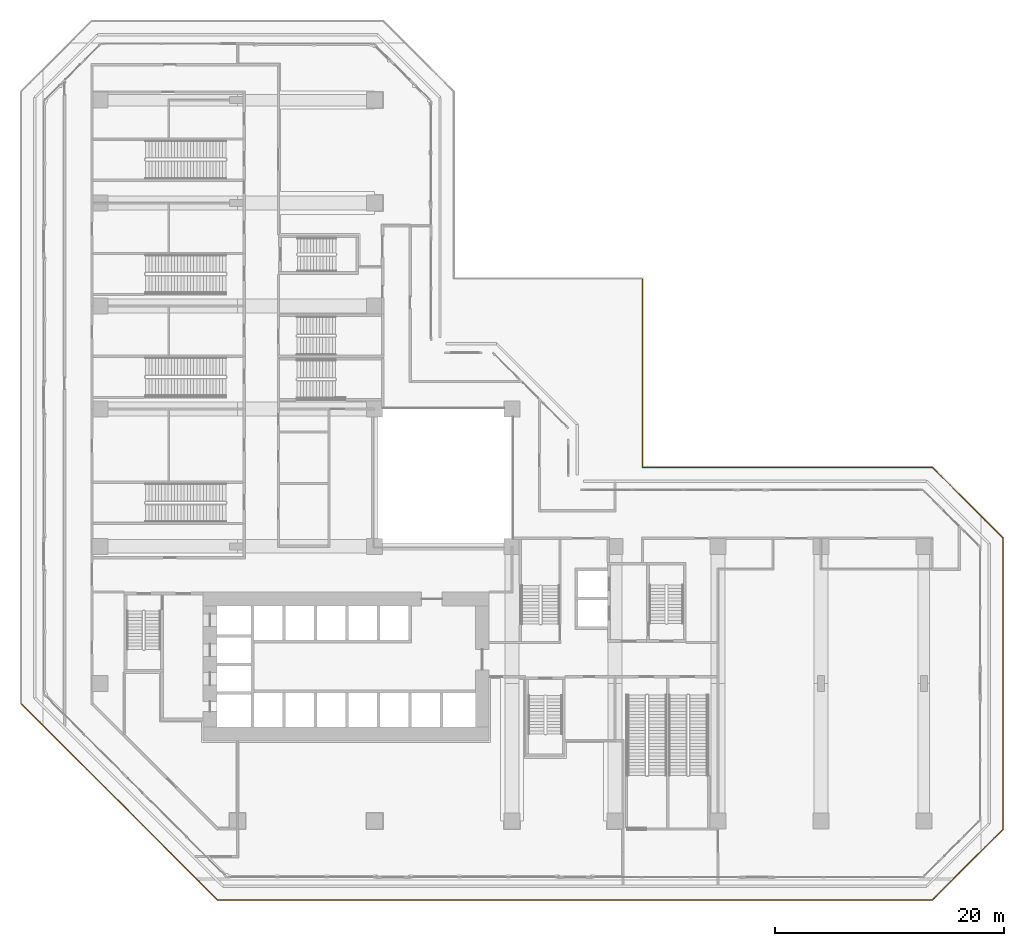
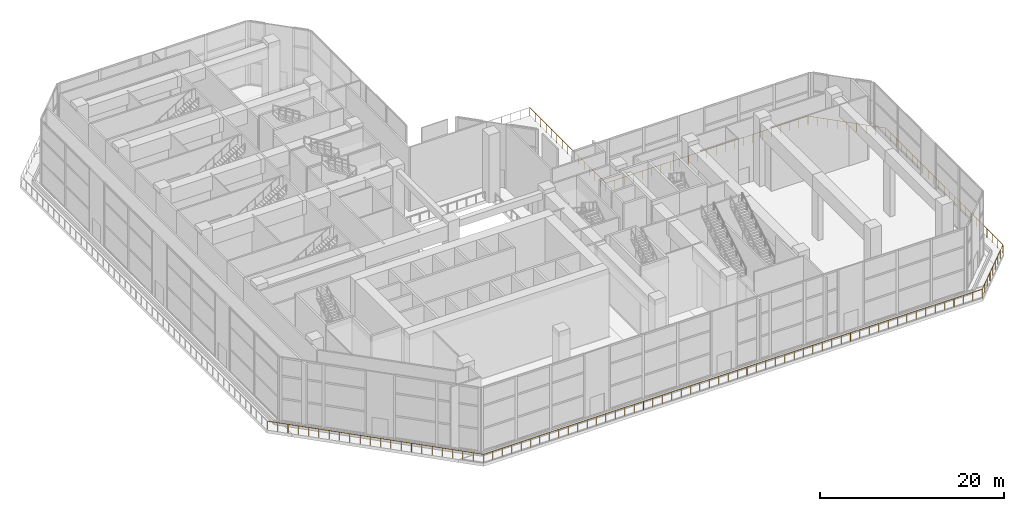
# One storey, part 23 of 28: 1 railing.
"""IFC4 building model written with IfcOpenShell, lengths in metres."""

from ifc_helpers import new_model, si_unit, direction, frame, origin, origin_2d, place, context, subcontext, project, spatial, rectangle, extrude, material, type_object, element, save


model = new_model("IFC4")

# Units and contexts
model_context = context("Model", 3, precision=1e-05, world=origin(), true_north=direction((0.0, 1.0)))
body_context = subcontext(model_context, "Body", "Model", "MODEL_VIEW")
ifc_project = project(units=[si_unit("LENGTHUNIT", "METRE"), si_unit("AREAUNIT", "SQUARE_METRE"), si_unit("VOLUMEUNIT", "CUBIC_METRE"), si_unit("PLANEANGLEUNIT", "RADIAN"), si_unit("MASSUNIT", "GRAM", prefix="KILO")], contexts=[model_context])

# Site, building, storey
site_placement = place(None, origin())
site = spatial("IfcSite", under=ifc_project, at=site_placement, CompositionType="ELEMENT")
building_placement = place(site_placement, origin())
building = spatial("IfcBuilding", under=site, at=building_placement, Name="Chenar Terraces", CompositionType="ELEMENT")
storey_placement = place(building_placement, frame((0.0, 0.0, 26.39990234375)))
storey = spatial("IfcBuildingStorey", under=building, at=storey_placement, Name="L05", CompositionType="ELEMENT", Elevation=26.39990234375)

# Railing
ifc_material = material(Name="Stainless steel and glass", Category="steel")
railing_type = type_object("IfcRailingType", Name="Terrace guard 1150", PredefinedType="GUARDRAIL", material=ifc_material)
railing_placement = place(storey_placement, frame((47.39990234375, 47.39990234375, 0.0)))
element("IfcRailing", 1, at=railing_placement, inside=storey, type_object=railing_type, Name="Terrace guard", PredefinedType="GUARDRAIL", context=body_context, shape_type="SweptSolid", body=[
    extrude(rectangle(XDim=0.048095703125, YDim=0.048095703125, at=origin_2d()), frame((0.0, 0.0, 1.1259765625), z_axis=(0.0, -1.0, 0.0), x_axis=(1.0, 0.0, 0.0)), (0.0, 0.0, 1.0), 16.5),
    extrude(rectangle(XDim=0.048095703125, YDim=0.048095703125, at=origin_2d()), frame((0.0, -16.5, 1.1259765625), z_axis=(1.0, 0.0, 0.0), x_axis=(0.0, 1.0, 0.0)), (0.0, 0.0, 1.0), 25.3369140625),
    extrude(rectangle(XDim=0.048095703125, YDim=0.048095703125, at=origin_2d()), frame((25.3369140625, -16.5, 1.1259765625), z_axis=(0.707106781187, -0.707106781187, 0.0), x_axis=(0.707106781187, 0.707106781187, 0.0)), (0.0, 0.0, 1.0), 8.7158203125),
    extrude(rectangle(XDim=0.048095703125, YDim=0.048095703125, at=origin_2d()), frame((31.5, -22.6630859375, 1.1259765625), z_axis=(0.0, -1.0, 0.0), x_axis=(1.0, 0.0, 0.0)), (0.0, 0.0, 1.0), 25.4736328125),
    extrude(rectangle(XDim=0.048095703125, YDim=0.048095703125, at=origin_2d()), frame((31.5, -48.13671875, 1.1259765625), z_axis=(-0.707106781187, -0.707106781187, 0.0), x_axis=(0.707106781187, -0.707106781187, 0.0)), (0.0, 0.0, 1.0), 8.7158203125),
    extrude(rectangle(XDim=0.048095703125, YDim=0.048095703125, at=origin_2d()), frame((25.3369140625, -54.2998046875, 1.1259765625), z_axis=(-1.0, 0.0, 0.0), x_axis=(0.0, -1.0, 0.0)), (0.0, 0.0, 1.0), 62.4736328125),
    extrude(rectangle(XDim=0.048095703125, YDim=0.048095703125, at=origin_2d()), frame((-37.13671875, -54.2998046875, 1.1259765625), z_axis=(-0.707106781187, 0.707106781187, 0.0), x_axis=(-0.707106781187, -0.707106781187, 0.0)), (0.0, 0.0, 1.0), 24.272216796875),
    extrude(rectangle(XDim=0.0419921875, YDim=0.0419921875, at=origin_2d()), origin(), (0.0, 0.0, 1.0), 1.101806640625),
    extrude(rectangle(XDim=0.0419921875, YDim=0.0419921875, at=origin_2d()), frame((0.0, -1.178466796875, 0.0)), (0.0, 0.0, 1.0), 1.101806640625),
    extrude(rectangle(XDim=0.0419921875, YDim=0.0419921875, at=origin_2d()), frame((0.0, -2.357177734375, 0.0)), (0.0, 0.0, 1.0), 1.101806640625),
    extrude(rectangle(XDim=0.0419921875, YDim=0.0419921875, at=origin_2d()), frame((0.0, -3.53564453125, 0.0)), (0.0, 0.0, 1.0), 1.101806640625),
    extrude(rectangle(XDim=0.0419921875, YDim=0.0419921875, at=origin_2d()), frame((0.0, -4.71435546875, 0.0)), (0.0, 0.0, 1.0), 1.101806640625),
    extrude(rectangle(XDim=0.0419921875, YDim=0.0419921875, at=origin_2d()), frame((0.0, -5.892822265625, 0.0)), (0.0, 0.0, 1.0), 1.101806640625),
    extrude(rectangle(XDim=0.0419921875, YDim=0.0419921875, at=origin_2d()), frame((0.0, -7.071533203125, 0.0)), (0.0, 0.0, 1.0), 1.101806640625),
    extrude(rectangle(XDim=0.0419921875, YDim=0.0419921875, at=origin_2d()), frame((0.0, -8.25, 0.0)), (0.0, 0.0, 1.0), 1.101806640625),
    extrude(rectangle(XDim=0.0419921875, YDim=0.0419921875, at=origin_2d()), frame((0.0, -9.428466796875, 0.0)), (0.0, 0.0, 1.0), 1.101806640625),
    extrude(rectangle(XDim=0.0419921875, YDim=0.0419921875, at=origin_2d()), frame((0.0, -10.607177734375, 0.0)), (0.0, 0.0, 1.0), 1.101806640625),
    extrude(rectangle(XDim=0.0419921875, YDim=0.0419921875, at=origin_2d()), frame((0.0, -11.78564453125, 0.0)), (0.0, 0.0, 1.0), 1.101806640625),
    extrude(rectangle(XDim=0.0419921875, YDim=0.0419921875, at=origin_2d()), frame((0.0, -12.96435546875, 0.0)), (0.0, 0.0, 1.0), 1.101806640625),
    extrude(rectangle(XDim=0.0419921875, YDim=0.0419921875, at=origin_2d()), frame((0.0, -14.142822265625, 0.0)), (0.0, 0.0, 1.0), 1.101806640625),
    extrude(rectangle(XDim=0.0419921875, YDim=0.0419921875, at=origin_2d()), frame((0.0, -15.321533203125, 0.0)), (0.0, 0.0, 1.0), 1.101806640625),
    extrude(rectangle(XDim=0.0419921875, YDim=0.0419921875, at=origin_2d()), frame((0.0, -16.5, 0.0)), (0.0, 0.0, 1.0), 1.101806640625),
    extrude(rectangle(XDim=0.0419921875, YDim=0.0419921875, at=origin_2d()), frame((1.151611328125, -16.5, 0.0)), (0.0, 0.0, 1.0), 1.101806640625),
    extrude(rectangle(XDim=0.0419921875, YDim=0.0419921875, at=origin_2d()), frame((2.303466796875, -16.5, 0.0)), (0.0, 0.0, 1.0), 1.101806640625),
    extrude(rectangle(XDim=0.0419921875, YDim=0.0419921875, at=origin_2d()), frame((3.455078125, -16.5, 0.0)), (0.0, 0.0, 1.0), 1.101806640625),
    extrude(rectangle(XDim=0.0419921875, YDim=0.0419921875, at=origin_2d()), frame((4.606689453125, -16.5, 0.0)), (0.0, 0.0, 1.0), 1.101806640625),
    extrude(rectangle(XDim=0.0419921875, YDim=0.0419921875, at=origin_2d()), frame((5.75830078125, -16.5, 0.0)), (0.0, 0.0, 1.0), 1.101806640625),
    extrude(rectangle(XDim=0.0419921875, YDim=0.0419921875, at=origin_2d()), frame((6.91015625, -16.5, 0.0)), (0.0, 0.0, 1.0), 1.101806640625),
    extrude(rectangle(XDim=0.0419921875, YDim=0.0419921875, at=origin_2d()), frame((8.061767578125, -16.5, 0.0)), (0.0, 0.0, 1.0), 1.101806640625),
    extrude(rectangle(XDim=0.0419921875, YDim=0.0419921875, at=origin_2d()), frame((9.21337890625, -16.5, 0.0)), (0.0, 0.0, 1.0), 1.101806640625),
    extrude(rectangle(XDim=0.0419921875, YDim=0.0419921875, at=origin_2d()), frame((10.364990234375, -16.5, 0.0)), (0.0, 0.0, 1.0), 1.101806640625),
    extrude(rectangle(XDim=0.0419921875, YDim=0.0419921875, at=origin_2d()), frame((11.516845703125, -16.5, 0.0)), (0.0, 0.0, 1.0), 1.101806640625),
    extrude(rectangle(XDim=0.0419921875, YDim=0.0419921875, at=origin_2d()), frame((12.66845703125, -16.5, 0.0)), (0.0, 0.0, 1.0), 1.101806640625),
    extrude(rectangle(XDim=0.0419921875, YDim=0.0419921875, at=origin_2d()), frame((13.820068359375, -16.5, 0.0)), (0.0, 0.0, 1.0), 1.101806640625),
    extrude(rectangle(XDim=0.0419921875, YDim=0.0419921875, at=origin_2d()), frame((14.971923828125, -16.5, 0.0)), (0.0, 0.0, 1.0), 1.101806640625),
    extrude(rectangle(XDim=0.0419921875, YDim=0.0419921875, at=origin_2d()), frame((16.12353515625, -16.5, 0.0)), (0.0, 0.0, 1.0), 1.101806640625),
    extrude(rectangle(XDim=0.0419921875, YDim=0.0419921875, at=origin_2d()), frame((17.275146484375, -16.5, 0.0)), (0.0, 0.0, 1.0), 1.101806640625),
    extrude(rectangle(XDim=0.0419921875, YDim=0.0419921875, at=origin_2d()), frame((18.4267578125, -16.5, 0.0)), (0.0, 0.0, 1.0), 1.101806640625),
    extrude(rectangle(XDim=0.0419921875, YDim=0.0419921875, at=origin_2d()), frame((19.57861328125, -16.5, 0.0)), (0.0, 0.0, 1.0), 1.101806640625),
    extrude(rectangle(XDim=0.0419921875, YDim=0.0419921875, at=origin_2d()), frame((20.730224609375, -16.5, 0.0)), (0.0, 0.0, 1.0), 1.101806640625),
    extrude(rectangle(XDim=0.0419921875, YDim=0.0419921875, at=origin_2d()), frame((21.8818359375, -16.5, 0.0)), (0.0, 0.0, 1.0), 1.101806640625),
    extrude(rectangle(XDim=0.0419921875, YDim=0.0419921875, at=origin_2d()), frame((23.033447265625, -16.5, 0.0)), (0.0, 0.0, 1.0), 1.101806640625),
    extrude(rectangle(XDim=0.0419921875, YDim=0.0419921875, at=origin_2d()), frame((24.185302734375, -16.5, 0.0)), (0.0, 0.0, 1.0), 1.101806640625),
    extrude(rectangle(XDim=0.0419921875, YDim=0.0419921875, at=origin_2d()), frame((25.3369140625, -16.5, 0.0)), (0.0, 0.0, 1.0), 1.101806640625),
    extrude(rectangle(XDim=0.0419921875, YDim=0.0419921875, at=origin_2d()), frame((26.107421875, -17.2705078125, 0.0)), (0.0, 0.0, 1.0), 1.101806640625),
    extrude(rectangle(XDim=0.0419921875, YDim=0.0419921875, at=origin_2d()), frame((26.877685546875, -18.040771484375, 0.0)), (0.0, 0.0, 1.0), 1.101806640625),
    extrude(rectangle(XDim=0.0419921875, YDim=0.0419921875, at=origin_2d()), frame((27.64794921875, -18.81103515625, 0.0)), (0.0, 0.0, 1.0), 1.101806640625),
    extrude(rectangle(XDim=0.0419921875, YDim=0.0419921875, at=origin_2d()), frame((28.41845703125, -19.58154296875, 0.0)), (0.0, 0.0, 1.0), 1.101806640625),
    extrude(rectangle(XDim=0.0419921875, YDim=0.0419921875, at=origin_2d()), frame((29.18896484375, -20.35205078125, 0.0)), (0.0, 0.0, 1.0), 1.101806640625),
    extrude(rectangle(XDim=0.0419921875, YDim=0.0419921875, at=origin_2d()), frame((29.959228515625, -21.122314453125, 0.0)), (0.0, 0.0, 1.0), 1.101806640625),
    extrude(rectangle(XDim=0.0419921875, YDim=0.0419921875, at=origin_2d()), frame((30.7294921875, -21.892578125, 0.0)), (0.0, 0.0, 1.0), 1.101806640625),
    extrude(rectangle(XDim=0.0419921875, YDim=0.0419921875, at=origin_2d()), frame((31.5, -22.6630859375, 0.0)), (0.0, 0.0, 1.0), 1.101806640625),
    extrude(rectangle(XDim=0.0419921875, YDim=0.0419921875, at=origin_2d()), frame((31.5, -23.821044921875, 0.0)), (0.0, 0.0, 1.0), 1.101806640625),
    extrude(rectangle(XDim=0.0419921875, YDim=0.0419921875, at=origin_2d()), frame((31.5, -24.978759765625, 0.0)), (0.0, 0.0, 1.0), 1.101806640625),
    extrude(rectangle(XDim=0.0419921875, YDim=0.0419921875, at=origin_2d()), frame((31.5, -26.13671875, 0.0)), (0.0, 0.0, 1.0), 1.101806640625),
    extrude(rectangle(XDim=0.0419921875, YDim=0.0419921875, at=origin_2d()), frame((31.5, -27.294677734375, 0.0)), (0.0, 0.0, 1.0), 1.101806640625),
    extrude(rectangle(XDim=0.0419921875, YDim=0.0419921875, at=origin_2d()), frame((31.5, -28.45263671875, 0.0)), (0.0, 0.0, 1.0), 1.101806640625),
    extrude(rectangle(XDim=0.0419921875, YDim=0.0419921875, at=origin_2d()), frame((31.5, -29.6103515625, 0.0)), (0.0, 0.0, 1.0), 1.101806640625),
    extrude(rectangle(XDim=0.0419921875, YDim=0.0419921875, at=origin_2d()), frame((31.5, -30.768310546875, 0.0)), (0.0, 0.0, 1.0), 1.101806640625),
    extrude(rectangle(XDim=0.0419921875, YDim=0.0419921875, at=origin_2d()), frame((31.5, -31.92626953125, 0.0)), (0.0, 0.0, 1.0), 1.101806640625),
    extrude(rectangle(XDim=0.0419921875, YDim=0.0419921875, at=origin_2d()), frame((31.5, -33.084228515625, 0.0)), (0.0, 0.0, 1.0), 1.101806640625),
    extrude(rectangle(XDim=0.0419921875, YDim=0.0419921875, at=origin_2d()), frame((31.5, -34.241943359375, 0.0)), (0.0, 0.0, 1.0), 1.101806640625),
    extrude(rectangle(XDim=0.0419921875, YDim=0.0419921875, at=origin_2d()), frame((31.5, -35.39990234375, 0.0)), (0.0, 0.0, 1.0), 1.101806640625),
    extrude(rectangle(XDim=0.0419921875, YDim=0.0419921875, at=origin_2d()), frame((31.5, -36.557861328125, 0.0)), (0.0, 0.0, 1.0), 1.101806640625),
    extrude(rectangle(XDim=0.0419921875, YDim=0.0419921875, at=origin_2d()), frame((31.5, -37.715576171875, 0.0)), (0.0, 0.0, 1.0), 1.101806640625),
    extrude(rectangle(XDim=0.0419921875, YDim=0.0419921875, at=origin_2d()), frame((31.5, -38.87353515625, 0.0)), (0.0, 0.0, 1.0), 1.101806640625),
    extrude(rectangle(XDim=0.0419921875, YDim=0.0419921875, at=origin_2d()), frame((31.5, -40.031494140625, 0.0)), (0.0, 0.0, 1.0), 1.101806640625),
    extrude(rectangle(XDim=0.0419921875, YDim=0.0419921875, at=origin_2d()), frame((31.5, -41.189453125, 0.0)), (0.0, 0.0, 1.0), 1.101806640625),
    extrude(rectangle(XDim=0.0419921875, YDim=0.0419921875, at=origin_2d()), frame((31.5, -42.34716796875, 0.0)), (0.0, 0.0, 1.0), 1.101806640625),
    extrude(rectangle(XDim=0.0419921875, YDim=0.0419921875, at=origin_2d()), frame((31.5, -43.505126953125, 0.0)), (0.0, 0.0, 1.0), 1.101806640625),
    extrude(rectangle(XDim=0.0419921875, YDim=0.0419921875, at=origin_2d()), frame((31.5, -44.6630859375, 0.0)), (0.0, 0.0, 1.0), 1.101806640625),
    extrude(rectangle(XDim=0.0419921875, YDim=0.0419921875, at=origin_2d()), frame((31.5, -45.821044921875, 0.0)), (0.0, 0.0, 1.0), 1.101806640625),
    extrude(rectangle(XDim=0.0419921875, YDim=0.0419921875, at=origin_2d()), frame((31.5, -46.978759765625, 0.0)), (0.0, 0.0, 1.0), 1.101806640625),
    extrude(rectangle(XDim=0.0419921875, YDim=0.0419921875, at=origin_2d()), frame((31.5, -48.13671875, 0.0)), (0.0, 0.0, 1.0), 1.101806640625),
    extrude(rectangle(XDim=0.0419921875, YDim=0.0419921875, at=origin_2d()), frame((30.7294921875, -48.9072265625, 0.0)), (0.0, 0.0, 1.0), 1.101806640625),
    extrude(rectangle(XDim=0.0419921875, YDim=0.0419921875, at=origin_2d()), frame((29.959228515625, -49.677490234375, 0.0)), (0.0, 0.0, 1.0), 1.101806640625),
    extrude(rectangle(XDim=0.0419921875, YDim=0.0419921875, at=origin_2d()), frame((29.18896484375, -50.44775390625, 0.0)), (0.0, 0.0, 1.0), 1.101806640625),
    extrude(rectangle(XDim=0.0419921875, YDim=0.0419921875, at=origin_2d()), frame((28.41845703125, -51.21826171875, 0.0)), (0.0, 0.0, 1.0), 1.101806640625),
    extrude(rectangle(XDim=0.0419921875, YDim=0.0419921875, at=origin_2d()), frame((27.64794921875, -51.98876953125, 0.0)), (0.0, 0.0, 1.0), 1.101806640625),
    extrude(rectangle(XDim=0.0419921875, YDim=0.0419921875, at=origin_2d()), frame((26.877685546875, -52.759033203125, 0.0)), (0.0, 0.0, 1.0), 1.101806640625),
    extrude(rectangle(XDim=0.0419921875, YDim=0.0419921875, at=origin_2d()), frame((26.107421875, -53.529296875, 0.0)), (0.0, 0.0, 1.0), 1.101806640625),
    extrude(rectangle(XDim=0.0419921875, YDim=0.0419921875, at=origin_2d()), frame((25.3369140625, -54.2998046875, 0.0)), (0.0, 0.0, 1.0), 1.101806640625),
    extrude(rectangle(XDim=0.0419921875, YDim=0.0419921875, at=origin_2d()), frame((24.158203125, -54.2998046875, 0.0)), (0.0, 0.0, 1.0), 1.101806640625),
    extrude(rectangle(XDim=0.0419921875, YDim=0.0419921875, at=origin_2d()), frame((22.9794921875, -54.2998046875, 0.0)), (0.0, 0.0, 1.0), 1.101806640625),
    extrude(rectangle(XDim=0.0419921875, YDim=0.0419921875, at=origin_2d()), frame((21.80078125, -54.2998046875, 0.0)), (0.0, 0.0, 1.0), 1.101806640625),
    extrude(rectangle(XDim=0.0419921875, YDim=0.0419921875, at=origin_2d()), frame((20.621826171875, -54.2998046875, 0.0)), (0.0, 0.0, 1.0), 1.101806640625),
    extrude(rectangle(XDim=0.0419921875, YDim=0.0419921875, at=origin_2d()), frame((19.443115234375, -54.2998046875, 0.0)), (0.0, 0.0, 1.0), 1.101806640625),
    extrude(rectangle(XDim=0.0419921875, YDim=0.0419921875, at=origin_2d()), frame((18.264404296875, -54.2998046875, 0.0)), (0.0, 0.0, 1.0), 1.101806640625),
    extrude(rectangle(XDim=0.0419921875, YDim=0.0419921875, at=origin_2d()), frame((17.085693359375, -54.2998046875, 0.0)), (0.0, 0.0, 1.0), 1.101806640625),
    extrude(rectangle(XDim=0.0419921875, YDim=0.0419921875, at=origin_2d()), frame((15.906982421875, -54.2998046875, 0.0)), (0.0, 0.0, 1.0), 1.101806640625),
    extrude(rectangle(XDim=0.0419921875, YDim=0.0419921875, at=origin_2d()), frame((14.728271484375, -54.2998046875, 0.0)), (0.0, 0.0, 1.0), 1.101806640625),
    extrude(rectangle(XDim=0.0419921875, YDim=0.0419921875, at=origin_2d()), frame((13.54931640625, -54.2998046875, 0.0)), (0.0, 0.0, 1.0), 1.101806640625),
    extrude(rectangle(XDim=0.0419921875, YDim=0.0419921875, at=origin_2d()), frame((12.37060546875, -54.2998046875, 0.0)), (0.0, 0.0, 1.0), 1.101806640625),
    extrude(rectangle(XDim=0.0419921875, YDim=0.0419921875, at=origin_2d()), frame((11.19189453125, -54.2998046875, 0.0)), (0.0, 0.0, 1.0), 1.101806640625),
    extrude(rectangle(XDim=0.0419921875, YDim=0.0419921875, at=origin_2d()), frame((10.01318359375, -54.2998046875, 0.0)), (0.0, 0.0, 1.0), 1.101806640625),
    extrude(rectangle(XDim=0.0419921875, YDim=0.0419921875, at=origin_2d()), frame((8.83447265625, -54.2998046875, 0.0)), (0.0, 0.0, 1.0), 1.101806640625),
    extrude(rectangle(XDim=0.0419921875, YDim=0.0419921875, at=origin_2d()), frame((7.65576171875, -54.2998046875, 0.0)), (0.0, 0.0, 1.0), 1.101806640625),
    extrude(rectangle(XDim=0.0419921875, YDim=0.0419921875, at=origin_2d()), frame((6.47705078125, -54.2998046875, 0.0)), (0.0, 0.0, 1.0), 1.101806640625),
    extrude(rectangle(XDim=0.0419921875, YDim=0.0419921875, at=origin_2d()), frame((5.298095703125, -54.2998046875, 0.0)), (0.0, 0.0, 1.0), 1.101806640625),
    extrude(rectangle(XDim=0.0419921875, YDim=0.0419921875, at=origin_2d()), frame((4.119384765625, -54.2998046875, 0.0)), (0.0, 0.0, 1.0), 1.101806640625),
    extrude(rectangle(XDim=0.0419921875, YDim=0.0419921875, at=origin_2d()), frame((2.940673828125, -54.2998046875, 0.0)), (0.0, 0.0, 1.0), 1.101806640625),
    extrude(rectangle(XDim=0.0419921875, YDim=0.0419921875, at=origin_2d()), frame((1.761962890625, -54.2998046875, 0.0)), (0.0, 0.0, 1.0), 1.101806640625),
    extrude(rectangle(XDim=0.0419921875, YDim=0.0419921875, at=origin_2d()), frame((0.583251953125, -54.2998046875, 0.0)), (0.0, 0.0, 1.0), 1.101806640625),
    extrude(rectangle(XDim=0.0419921875, YDim=0.0419921875, at=origin_2d()), frame((-0.595458984375, -54.2998046875, 0.0)), (0.0, 0.0, 1.0), 1.101806640625),
    extrude(rectangle(XDim=0.0419921875, YDim=0.0419921875, at=origin_2d()), frame((-1.774169921875, -54.2998046875, 0.0)), (0.0, 0.0, 1.0), 1.101806640625),
    extrude(rectangle(XDim=0.0419921875, YDim=0.0419921875, at=origin_2d()), frame((-2.953125, -54.2998046875, 0.0)), (0.0, 0.0, 1.0), 1.101806640625),
    extrude(rectangle(XDim=0.0419921875, YDim=0.0419921875, at=origin_2d()), frame((-4.1318359375, -54.2998046875, 0.0)), (0.0, 0.0, 1.0), 1.101806640625),
    extrude(rectangle(XDim=0.0419921875, YDim=0.0419921875, at=origin_2d()), frame((-5.310546875, -54.2998046875, 0.0)), (0.0, 0.0, 1.0), 1.101806640625),
    extrude(rectangle(XDim=0.0419921875, YDim=0.0419921875, at=origin_2d()), frame((-6.4892578125, -54.2998046875, 0.0)), (0.0, 0.0, 1.0), 1.101806640625),
    extrude(rectangle(XDim=0.0419921875, YDim=0.0419921875, at=origin_2d()), frame((-7.66796875, -54.2998046875, 0.0)), (0.0, 0.0, 1.0), 1.101806640625),
    extrude(rectangle(XDim=0.0419921875, YDim=0.0419921875, at=origin_2d()), frame((-8.8466796875, -54.2998046875, 0.0)), (0.0, 0.0, 1.0), 1.101806640625),
    extrude(rectangle(XDim=0.0419921875, YDim=0.0419921875, at=origin_2d()), frame((-10.025634765625, -54.2998046875, 0.0)), (0.0, 0.0, 1.0), 1.101806640625),
    extrude(rectangle(XDim=0.0419921875, YDim=0.0419921875, at=origin_2d()), frame((-11.204345703125, -54.2998046875, 0.0)), (0.0, 0.0, 1.0), 1.101806640625),
    extrude(rectangle(XDim=0.0419921875, YDim=0.0419921875, at=origin_2d()), frame((-12.383056640625, -54.2998046875, 0.0)), (0.0, 0.0, 1.0), 1.101806640625),
    extrude(rectangle(XDim=0.0419921875, YDim=0.0419921875, at=origin_2d()), frame((-13.561767578125, -54.2998046875, 0.0)), (0.0, 0.0, 1.0), 1.101806640625),
    extrude(rectangle(XDim=0.0419921875, YDim=0.0419921875, at=origin_2d()), frame((-14.740478515625, -54.2998046875, 0.0)), (0.0, 0.0, 1.0), 1.101806640625),
    extrude(rectangle(XDim=0.0419921875, YDim=0.0419921875, at=origin_2d()), frame((-15.919189453125, -54.2998046875, 0.0)), (0.0, 0.0, 1.0), 1.101806640625),
    extrude(rectangle(XDim=0.0419921875, YDim=0.0419921875, at=origin_2d()), frame((-17.097900390625, -54.2998046875, 0.0)), (0.0, 0.0, 1.0), 1.101806640625),
    extrude(rectangle(XDim=0.0419921875, YDim=0.0419921875, at=origin_2d()), frame((-18.27685546875, -54.2998046875, 0.0)), (0.0, 0.0, 1.0), 1.101806640625),
    extrude(rectangle(XDim=0.0419921875, YDim=0.0419921875, at=origin_2d()), frame((-19.45556640625, -54.2998046875, 0.0)), (0.0, 0.0, 1.0), 1.101806640625),
    extrude(rectangle(XDim=0.0419921875, YDim=0.0419921875, at=origin_2d()), frame((-20.63427734375, -54.2998046875, 0.0)), (0.0, 0.0, 1.0), 1.101806640625),
    extrude(rectangle(XDim=0.0419921875, YDim=0.0419921875, at=origin_2d()), frame((-21.81298828125, -54.2998046875, 0.0)), (0.0, 0.0, 1.0), 1.101806640625),
    extrude(rectangle(XDim=0.0419921875, YDim=0.0419921875, at=origin_2d()), frame((-22.99169921875, -54.2998046875, 0.0)), (0.0, 0.0, 1.0), 1.101806640625),
    extrude(rectangle(XDim=0.0419921875, YDim=0.0419921875, at=origin_2d()), frame((-24.17041015625, -54.2998046875, 0.0)), (0.0, 0.0, 1.0), 1.101806640625),
    extrude(rectangle(XDim=0.0419921875, YDim=0.0419921875, at=origin_2d()), frame((-25.34912109375, -54.2998046875, 0.0)), (0.0, 0.0, 1.0), 1.101806640625),
    extrude(rectangle(XDim=0.0419921875, YDim=0.0419921875, at=origin_2d()), frame((-26.528076171875, -54.2998046875, 0.0)), (0.0, 0.0, 1.0), 1.101806640625),
    extrude(rectangle(XDim=0.0419921875, YDim=0.0419921875, at=origin_2d()), frame((-27.706787109375, -54.2998046875, 0.0)), (0.0, 0.0, 1.0), 1.101806640625),
    extrude(rectangle(XDim=0.0419921875, YDim=0.0419921875, at=origin_2d()), frame((-28.885498046875, -54.2998046875, 0.0)), (0.0, 0.0, 1.0), 1.101806640625),
    extrude(rectangle(XDim=0.0419921875, YDim=0.0419921875, at=origin_2d()), frame((-30.064208984375, -54.2998046875, 0.0)), (0.0, 0.0, 1.0), 1.101806640625),
    extrude(rectangle(XDim=0.0419921875, YDim=0.0419921875, at=origin_2d()), frame((-31.242919921875, -54.2998046875, 0.0)), (0.0, 0.0, 1.0), 1.101806640625),
    extrude(rectangle(XDim=0.0419921875, YDim=0.0419921875, at=origin_2d()), frame((-32.421630859375, -54.2998046875, 0.0)), (0.0, 0.0, 1.0), 1.101806640625),
    extrude(rectangle(XDim=0.0419921875, YDim=0.0419921875, at=origin_2d()), frame((-33.6005859375, -54.2998046875, 0.0)), (0.0, 0.0, 1.0), 1.101806640625),
    extrude(rectangle(XDim=0.0419921875, YDim=0.0419921875, at=origin_2d()), frame((-34.779296875, -54.2998046875, 0.0)), (0.0, 0.0, 1.0), 1.101806640625),
    extrude(rectangle(XDim=0.0419921875, YDim=0.0419921875, at=origin_2d()), frame((-35.9580078125, -54.2998046875, 0.0)), (0.0, 0.0, 1.0), 1.101806640625),
    extrude(rectangle(XDim=0.0419921875, YDim=0.0419921875, at=origin_2d()), frame((-37.13671875, -54.2998046875, 0.0)), (0.0, 0.0, 1.0), 1.101806640625),
    extrude(rectangle(XDim=0.0419921875, YDim=0.0419921875, at=origin_2d()), frame((-37.9541015625, -53.482421875, 0.0)), (0.0, 0.0, 1.0), 1.101806640625),
    extrude(rectangle(XDim=0.0419921875, YDim=0.0419921875, at=origin_2d()), frame((-38.771240234375, -52.665283203125, 0.0)), (0.0, 0.0, 1.0), 1.101806640625),
    extrude(rectangle(XDim=0.0419921875, YDim=0.0419921875, at=origin_2d()), frame((-39.588623046875, -51.847900390625, 0.0)), (0.0, 0.0, 1.0), 1.101806640625),
    extrude(rectangle(XDim=0.0419921875, YDim=0.0419921875, at=origin_2d()), frame((-40.40576171875, -51.03076171875, 0.0)), (0.0, 0.0, 1.0), 1.101806640625),
    extrude(rectangle(XDim=0.0419921875, YDim=0.0419921875, at=origin_2d()), frame((-41.22314453125, -50.21337890625, 0.0)), (0.0, 0.0, 1.0), 1.101806640625),
    extrude(rectangle(XDim=0.0419921875, YDim=0.0419921875, at=origin_2d()), frame((-42.04052734375, -49.39599609375, 0.0)), (0.0, 0.0, 1.0), 1.101806640625),
    extrude(rectangle(XDim=0.0419921875, YDim=0.0419921875, at=origin_2d()), frame((-42.857666015625, -48.578857421875, 0.0)), (0.0, 0.0, 1.0), 1.101806640625),
    extrude(rectangle(XDim=0.0419921875, YDim=0.0419921875, at=origin_2d()), frame((-43.675048828125, -47.761474609375, 0.0)), (0.0, 0.0, 1.0), 1.101806640625),
    extrude(rectangle(XDim=0.0419921875, YDim=0.0419921875, at=origin_2d()), frame((-44.492431640625, -46.944091796875, 0.0)), (0.0, 0.0, 1.0), 1.101806640625),
    extrude(rectangle(XDim=0.0419921875, YDim=0.0419921875, at=origin_2d()), frame((-45.3095703125, -46.126953125, 0.0)), (0.0, 0.0, 1.0), 1.101806640625),
    extrude(rectangle(XDim=0.0419921875, YDim=0.0419921875, at=origin_2d()), frame((-46.126953125, -45.3095703125, 0.0)), (0.0, 0.0, 1.0), 1.101806640625),
    extrude(rectangle(XDim=0.0419921875, YDim=0.0419921875, at=origin_2d()), frame((-46.944091796875, -44.492431640625, 0.0)), (0.0, 0.0, 1.0), 1.101806640625),
    extrude(rectangle(XDim=0.0419921875, YDim=0.0419921875, at=origin_2d()), frame((-47.761474609375, -43.675048828125, 0.0)), (0.0, 0.0, 1.0), 1.101806640625),
    extrude(rectangle(XDim=0.0419921875, YDim=0.0419921875, at=origin_2d()), frame((-48.578857421875, -42.857666015625, 0.0)), (0.0, 0.0, 1.0), 1.101806640625),
    extrude(rectangle(XDim=0.0419921875, YDim=0.0419921875, at=origin_2d()), frame((-49.39599609375, -42.04052734375, 0.0)), (0.0, 0.0, 1.0), 1.101806640625),
    extrude(rectangle(XDim=0.0419921875, YDim=0.0419921875, at=origin_2d()), frame((-50.21337890625, -41.22314453125, 0.0)), (0.0, 0.0, 1.0), 1.101806640625),
    extrude(rectangle(XDim=0.0419921875, YDim=0.0419921875, at=origin_2d()), frame((-51.03076171875, -40.40576171875, 0.0)), (0.0, 0.0, 1.0), 1.101806640625),
    extrude(rectangle(XDim=0.0419921875, YDim=0.0419921875, at=origin_2d()), frame((-51.847900390625, -39.588623046875, 0.0)), (0.0, 0.0, 1.0), 1.101806640625),
    extrude(rectangle(XDim=0.0419921875, YDim=0.0419921875, at=origin_2d()), frame((-52.665283203125, -38.771240234375, 0.0)), (0.0, 0.0, 1.0), 1.101806640625),
    extrude(rectangle(XDim=0.0419921875, YDim=0.0419921875, at=origin_2d()), frame((-53.482421875, -37.9541015625, 0.0)), (0.0, 0.0, 1.0), 1.101806640625),
    extrude(rectangle(XDim=0.0419921875, YDim=0.0419921875, at=origin_2d()), frame((-54.2998046875, -37.13671875, 0.0)), (0.0, 0.0, 1.0), 1.101806640625),
])

save(model, "model.ifc")
